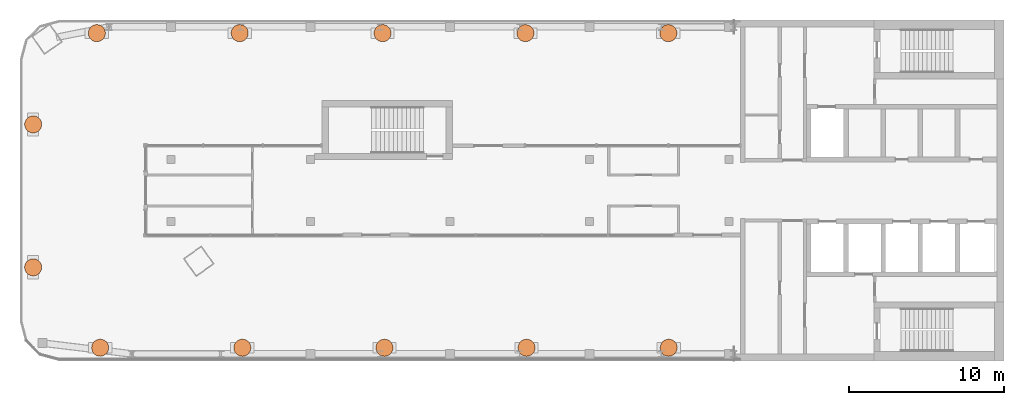
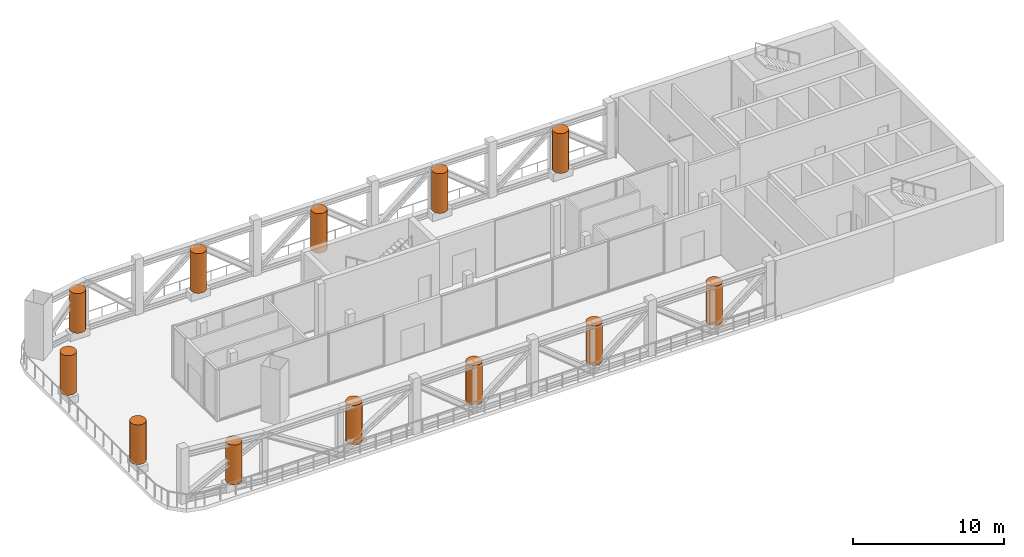
# One storey, part 9 of 9: 12 geographic elements.
"""IFC4 building model written with IfcOpenShell, lengths in metres."""

import ifcopenshell
import ifcopenshell.guid

model = None  # the IFC model being written
_history = None  # IfcOwnerHistory: only IFC2X3 demands one
_inside = {}  # id of a spatial element -> (the spatial element, [elements in it])
_under = {}  # id of a project, library or spatial element -> (it, [spatial elements below it])
_declared = {}  # id of a project -> (the project, [libraries it declares])
_typed = {}  # id of a type object -> (the type object, [elements of that type])
_made_of = {}  # id of a material, layer set ... -> (it, [elements and type objects made of it])


def new_model(schema):
    """Start an empty IFC model of exactly this schema.

    Asked for "IFC4X3", IfcOpenShell would pick the latest addendum, in which some entities
    have other attributes; the version numbers below select the first issue.
    IFC2X3 requires an IfcOwnerHistory on every rooted entity: one is made here for all.
    """
    global model, _history
    if schema == "IFC4X3":
        model = ifcopenshell.file(schema_version=(4, 3, 0, 0))
    else:
        model = ifcopenshell.file(schema=schema)
    _inside.clear()
    _under.clear()
    _declared.clear()
    _typed.clear()
    _made_of.clear()
    _history = None
    if model.schema == "IFC2X3":
        org = make("IfcOrganization", Name="unknown")
        user = make(
            "IfcPersonAndOrganization",
            ThePerson=make("IfcPerson", FamilyName="unknown"),
            TheOrganization=org,
        )
        app = make(
            "IfcApplication",
            ApplicationDeveloper=org,
            Version="unknown",
            ApplicationFullName="unknown",
            ApplicationIdentifier="unknown",
        )
        _history = make(
            "IfcOwnerHistory",
            OwningUser=user,
            OwningApplication=app,
            ChangeAction="ADDED",
            CreationDate=0,
        )
    return model


def make(cls, **values):
    """One entity of the class cls with the attributes given. An attribute that is None is left unset."""
    return model.create_entity(
        cls, **{name: value for name, value in values.items() if value is not None}
    )


def rooted(cls, **values):
    """An entity with a GlobalId (a new one), such as an element, a storey or a relation."""
    return make(cls, GlobalId=ifcopenshell.guid.new(), OwnerHistory=_history, **values)


def si_unit(unit_type, name, prefix=None):
    """IfcSIUnit, for example si_unit("LENGTHUNIT", "METRE", prefix="MILLI")."""
    return make("IfcSIUnit", UnitType=unit_type, Prefix=prefix, Name=name)


def assignment(units):
    """IfcUnitAssignment: the units of a project."""
    return None if units is None else make("IfcUnitAssignment", Units=units)


def point(xyz):
    """IfcCartesianPoint."""
    return None if xyz is None else make("IfcCartesianPoint", Coordinates=xyz)


def direction(xyz):
    """IfcDirection."""
    return None if xyz is None else make("IfcDirection", DirectionRatios=xyz)


def frame(location, z_axis=None, x_axis=None):
    """IfcAxis2Placement3D, a coordinate frame: its origin and axes. An axis left out is left unset."""
    return make(
        "IfcAxis2Placement3D",
        Location=point(location),
        Axis=direction(z_axis),
        RefDirection=direction(x_axis),
    )


def frame_2d(location, x_axis=None):
    """IfcAxis2Placement2D, a coordinate frame in the plane: its origin and x axis."""
    return make(
        "IfcAxis2Placement2D", Location=point(location), RefDirection=direction(x_axis)
    )


def origin():
    """The frame at (0, 0, 0) with its axes left unset."""
    return frame((0.0, 0.0, 0.0))


def origin_2d():
    """The frame at (0, 0) in the plane with its x axis left unset."""
    return frame_2d((0.0, 0.0))


def place(relative_to, where):
    """IfcLocalPlacement: puts the frame where relative to a parent placement (None: the world)."""
    return make(
        "IfcLocalPlacement", PlacementRelTo=relative_to, RelativePlacement=where
    )


def context(
    kind, dimensions, precision=None, world=None, true_north=None, identifier=None
):
    """IfcGeometricRepresentationContext, for example the 3D "Model" context."""
    return make(
        "IfcGeometricRepresentationContext",
        ContextIdentifier=identifier,
        ContextType=kind,
        CoordinateSpaceDimension=dimensions,
        Precision=precision,
        WorldCoordinateSystem=world,
        TrueNorth=true_north,
    )


def subcontext(parent, identifier, kind, view, scale=None):
    """IfcGeometricRepresentationSubContext, for example "Body" below "Model"."""
    return make(
        "IfcGeometricRepresentationSubContext",
        ContextIdentifier=identifier,
        ContextType=kind,
        ParentContext=parent,
        TargetScale=scale,
        TargetView=view,
    )


def project(units=None, contexts=None):
    """IfcProject with its units and contexts."""
    return rooted(
        "IfcProject",
        Name="project",
        RepresentationContexts=contexts,
        UnitsInContext=assignment(units),
    )


def spatial(cls, under=None, at=None, **own):
    """A site, building, storey or space (cls), placed at a placement, below another one or the project."""
    s = rooted(cls, ObjectPlacement=at, **own)
    if under is not None:
        _under.setdefault(under.id(), (under, []))[1].append(s)
    return s


def profile(cls, at=None, kind="AREA", **sizes):
    """A parametric profile (cls). Its sizes go by their IFC names, for example OverallWidth=200.0."""
    return make(cls, ProfileType=kind, Position=at, **sizes)


def circle(**sizes):
    """IfcCircleProfileDef."""
    return profile("IfcCircleProfileDef", **sizes)


def extrude(swept, where, along, depth):
    """IfcExtrudedAreaSolid: the profile swept, set in the frame where, extruded along a direction by depth."""
    return make(
        "IfcExtrudedAreaSolid",
        SweptArea=swept,
        Position=where,
        ExtrudedDirection=direction(along),
        Depth=depth,
    )


def shape(context_of_items, identifier, shape_type, items):
    """IfcShapeRepresentation: the items that make up one representation, for example the "Body"."""
    return make(
        "IfcShapeRepresentation",
        ContextOfItems=context_of_items,
        RepresentationIdentifier=identifier,
        RepresentationType=shape_type,
        Items=items,
    )


def made_of(thing, what):
    """Note that an element or type object is made of a material, layer set ...; save() writes the relation."""
    if what is not None:
        _made_of.setdefault(what.id(), (what, []))[1].append(thing)
    return thing


def element(
    cls,
    number,
    at=None,
    inside=None,
    cuts=None,
    type_object=None,
    material=None,
    context=None,
    identifier="Body",
    shape_type=None,
    held_by="IfcProductDefinitionShape",
    body=None,
    shapes=None,
    **own,
):
    """One element of the class cls, such as IfcWall. Its Tag is "e" and its number.

    at: its placement. inside: the storey or other place that contains it. cuts: it is an
    opening in that element (IfcRelVoidsElement). A single representation is given by context,
    identifier, shape_type and body (its items); several are given by shapes. held_by: the class
    of the entity that holds the representations. save() writes the other relations.
    """
    e = rooted(cls, Tag="e%d" % number, ObjectPlacement=at, **own)
    if body is not None:
        shapes = [shape(context, identifier, shape_type, body)]
    if shapes is not None:
        e.Representation = make(held_by, Representations=shapes)
    if inside is not None:
        _inside.setdefault(inside.id(), (inside, []))[1].append(e)
    if cuts is not None:
        rooted(
            "IfcRelVoidsElement", RelatingBuildingElement=cuts, RelatedOpeningElement=e
        )
    if type_object is not None:
        _typed.setdefault(type_object.id(), (type_object, []))[1].append(e)
    return made_of(e, material)


def aggregate(whole, parts):
    """IfcRelAggregates: a whole, such as a stair, and the parts it consists of."""
    return rooted("IfcRelAggregates", RelatingObject=whole, RelatedObjects=parts)


def save(model, path):
    """Write the relations noted so far, then the file.

    IfcRelAggregates (storeys below a building ...), IfcRelContainedInSpatialStructure (elements
    in a storey), IfcRelDefinesByType, IfcRelAssociatesMaterial and IfcRelDeclares: one each for
    every whole, place, type object, material and project.
    """
    for whole, parts in _under.values():
        aggregate(whole, parts)
    for where, things in _inside.values():
        rooted(
            "IfcRelContainedInSpatialStructure",
            RelatedElements=things,
            RelatingStructure=where,
        )
    for kind, things in _typed.values():
        rooted("IfcRelDefinesByType", RelatedObjects=things, RelatingType=kind)
    for what, things in _made_of.values():
        rooted("IfcRelAssociatesMaterial", RelatedObjects=things, RelatingMaterial=what)
    for by, libraries in _declared.values():
        rooted("IfcRelDeclares", RelatingContext=by, RelatedDefinitions=libraries)
    model.write(path)


model = new_model("IFC4")

# Units and contexts
model_context = context("Model", 3, precision=1e-05, world=origin(), true_north=direction((0.0, 1.0)))
body_context = subcontext(model_context, "Body", "Model", "MODEL_VIEW")
ifc_project = project(units=[si_unit("LENGTHUNIT", "METRE"), si_unit("AREAUNIT", "SQUARE_METRE"), si_unit("VOLUMEUNIT", "CUBIC_METRE"), si_unit("PLANEANGLEUNIT", "RADIAN"), si_unit("MASSUNIT", "GRAM", prefix="KILO")], contexts=[model_context])

# Site, building, storey
site_placement = place(None, origin())
site = spatial("IfcSite", under=ifc_project, at=site_placement, CompositionType="ELEMENT")
building_placement = place(site_placement, origin())
building = spatial("IfcBuilding", under=site, at=building_placement, Name="Skarvind Civic Tower", CompositionType="ELEMENT")
storey_placement = place(building_placement, frame((0.0, 0.0, 277.5)))
storey = spatial("IfcBuildingStorey", under=building, at=storey_placement, Name="L66", CompositionType="ELEMENT", Elevation=277.5)

# Geographic elements
for number, where, z_axis, x_axis, name in (
    (1, (45.35009765625, 123.0400390625, 0.60009765625), (0.0, 0.0, 1.0), (1.0, 0.0, 0.0), "OBSERVATION TERRACE TREE"),
    (2, (45.35009765625, 132.260498046875, 0.60009765625), (0.0, 0.0, 1.0), (1.0, 0.0, 0.0), "OBSERVATION TERRACE TREE"),
    (3, (49.45751953125, 138.14990234375, 0.60009765625), (0.0, 0.0, 1.0), (1.0, 0.0, 0.0), "OBSERVATION TERRACE TREE"),
    (4, (58.677978515625, 138.14990234375, 0.60009765625), (0.0, 0.0, 1.0), (1.0, 0.0, 0.0), "OBSERVATION TERRACE TREE"),
    (5, (67.898681640625, 138.14990234375, 0.60009765625), (0.0, 0.0, 1.0), (1.0, 0.0, 0.0), "OBSERVATION TERRACE TREE"),
    (6, (77.119140625, 138.14990234375, 0.60009765625), (0.0, 0.0, 1.0), (1.0, 0.0, 0.0), "OBSERVATION TERRACE TREE"),
    (7, (86.339599609375, 138.14990234375, 0.60009765625), (0.0, 0.0, 1.0), (1.0, 0.0, 0.0), "OBSERVATION TERRACE TREE"),
    (8, (86.364013671875, 117.85009765625, 0.60009765625), (0.0, 0.0, 1.0), (1.0, 0.0, 0.0), "OBSERVATION TERRACE TREE"),
    (9, (77.1923828125, 117.85009765625, 0.60009765625), (0.0, 0.0, 1.0), (1.0, 0.0, 0.0), "OBSERVATION TERRACE TREE"),
    (10, (68.0205078125, 117.85009765625, 0.60009765625), (0.0, 0.0, 1.0), (1.0, 0.0, 0.0), "OBSERVATION TERRACE TREE"),
    (11, (58.848876953125, 117.85009765625, 0.60009765625), (0.0, 0.0, 1.0), (1.0, 0.0, 0.0), "OBSERVATION TERRACE TREE"),
    (12, (49.677001953125, 117.85009765625, 0.60009765625), (0.0, 0.0, 1.0), (1.0, 0.0, 0.0), "OBSERVATION TERRACE TREE"),
):
    element("IfcGeographicElement", number, at=place(storey_placement, frame(where, z_axis=z_axis, x_axis=x_axis)), inside=storey, Name=name, ObjectType="TREE", PredefinedType="USERDEFINED", context=body_context, shape_type="SweptSolid", body=[
        extrude(circle(Radius=0.550048828125, at=origin_2d()), origin(), (0.0, 0.0, 1.0), 3.199951171875),
    ])

save(model, "model.ifc")
